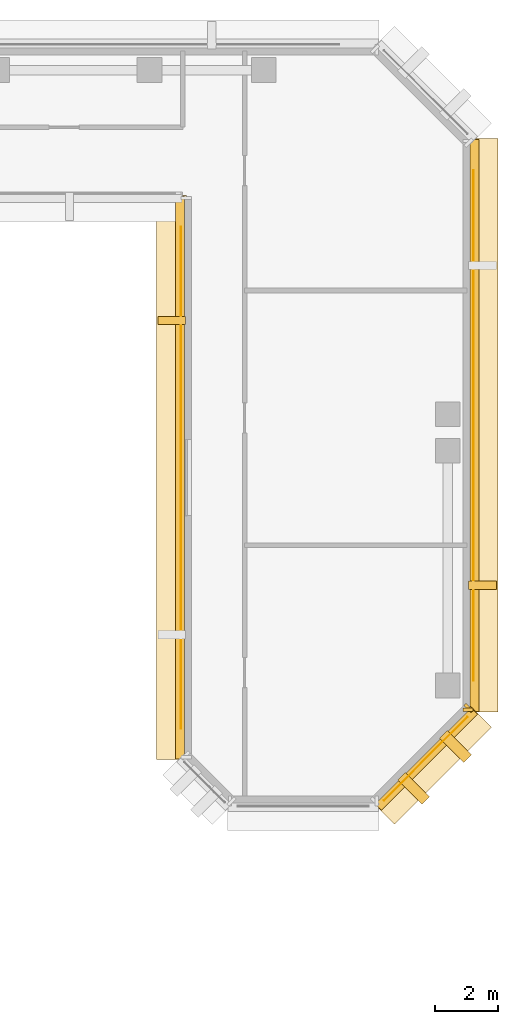
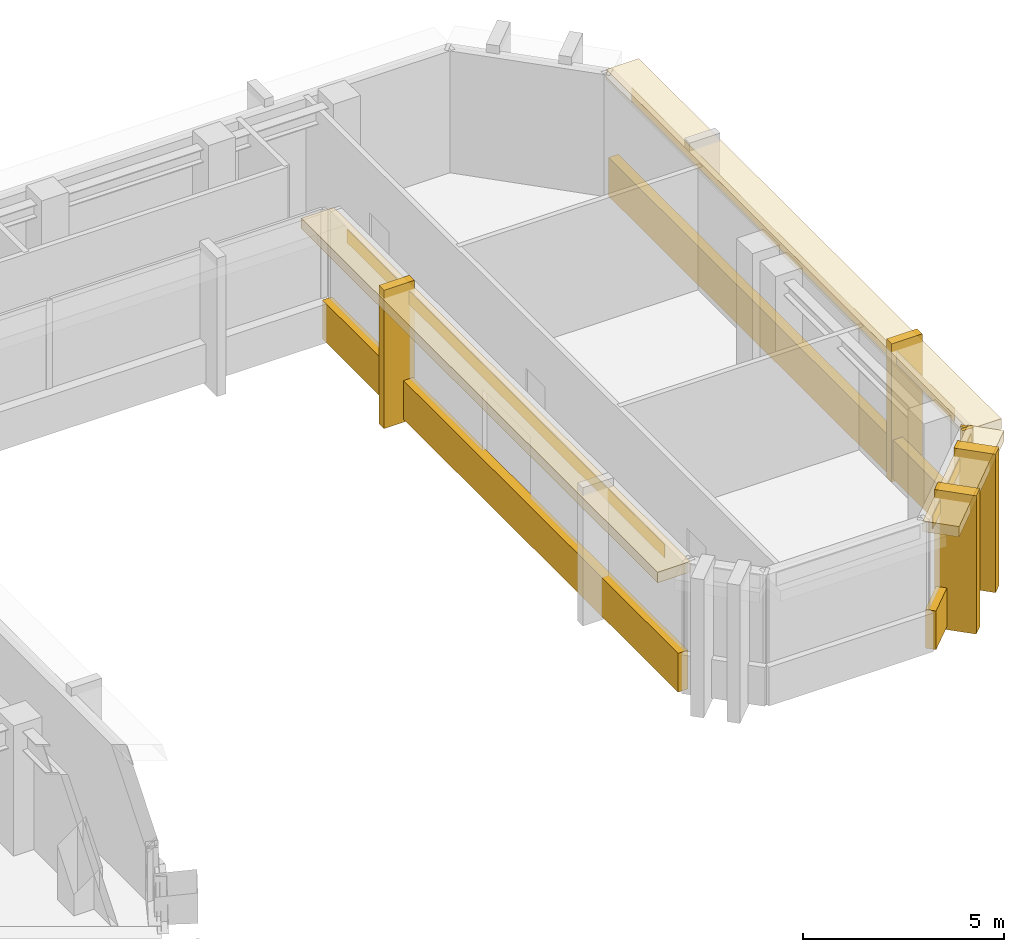
# One storey, part 9 of 11: 15 coverings.
"""IFC4 building model written with IfcOpenShell, lengths in metres."""

from ifc_helpers import new_model, si_unit, direction, frame, origin, origin_2d, place, context, subcontext, project, spatial, rectangle, extrude, material, layer, layer_set, type_object, element, save


model = new_model("IFC4")

# Units and contexts
model_context = context("Model", 3, precision=1e-05, world=origin(), true_north=direction((0.0, 1.0)))
body_context = subcontext(model_context, "Body", "Model", "MODEL_VIEW")
ifc_project = project(units=[si_unit("LENGTHUNIT", "METRE"), si_unit("AREAUNIT", "SQUARE_METRE"), si_unit("VOLUMEUNIT", "CUBIC_METRE"), si_unit("PLANEANGLEUNIT", "RADIAN"), si_unit("MASSUNIT", "GRAM", prefix="KILO")], contexts=[model_context])

# Site, building, storey
site_placement = place(None, origin())
site = spatial("IfcSite", under=ifc_project, at=site_placement, CompositionType="ELEMENT")
building_placement = place(site_placement, origin())
building = spatial("IfcBuilding", under=site, at=building_placement, Name="Kefirva Bronze Tower", CompositionType="ELEMENT")
storey_placement = place(building_placement, frame((0.0, 0.0, 219.780029296875)))
storey = spatial("IfcBuildingStorey", under=building, at=storey_placement, Name="L53", CompositionType="ELEMENT", Elevation=219.780029296875)

# Coverings
ifc_material = material(Name="Bronze anodised aluminium", Category="aluminium")
ifc_layer_1 = layer(ifc_material, 0.02001953125, Name="Bronze anodised aluminium")
ifc_layer_set_1 = layer_set([ifc_layer_1], Name="Bronze anodised aluminium")
covering_type_1 = type_object("IfcCoveringType", Name="Anodised Bronze Spandrel Cladding 20mm", PredefinedType="CLADDING", material=ifc_layer_set_1)
covering_1_placement = place(storey_placement, frame((40.989990234375, 32.35009765625, 3.2900390625), z_axis=(0.0, 0.0, 1.0), x_axis=(0.0, -1.0, 0.0)))
element("IfcCovering", 1, at=covering_1_placement, inside=storey, type_object=covering_type_1, Name="L53 Bronze Spandrel Cladding 5", PredefinedType="CLADDING", context=body_context, shape_type="SweptSolid", body=[
    extrude(rectangle(XDim=15.8310546875, YDim=0.02001953125, at=origin_2d()), origin(), (0.0, 0.0, 1.0), 0.39990234375),
])
covering_2_placement = place(storey_placement, frame((40.9599609375, 32.35009765625, -0.16015625), z_axis=(0.0, 0.0, 1.0), x_axis=(0.0, -1.0, 0.0)))
element("IfcCovering", 2, at=covering_2_placement, inside=storey, type_object=covering_type_1, Name="L53 Streamline Horizontal Spandrel Band 7", PredefinedType="CLADDING", context=body_context, shape_type="SweptSolid", body=[
    extrude(rectangle(XDim=17.739990234375, YDim=0.280029296875, at=origin_2d()), origin(), (0.0, 0.0, 1.0), 1.179931640625),
])
covering_3_placement = place(storey_placement, frame((48.70703125, 23.492919921875, 3.2900390625), z_axis=(0.0, 0.0, 1.0), x_axis=(0.707106781187, 0.707106781187, 0.0)))
element("IfcCovering", 3, at=covering_3_placement, inside=storey, type_object=covering_type_1, Name="L53 Bronze Spandrel Cladding 8", PredefinedType="CLADDING", context=body_context, shape_type="SweptSolid", body=[
    extrude(rectangle(XDim=3.719482421875, YDim=0.02001953125, at=origin_2d()), origin(), (0.0, 0.0, 1.0), 0.39990234375),
])
covering_4_placement = place(storey_placement, frame((50.06201171875, 25.08837890625, 0.0), z_axis=(0.0, 0.0, 1.0), x_axis=(0.707106781187, 0.707106781187, 0.0)))
element("IfcCovering", 4, at=covering_4_placement, inside=storey, type_object=covering_type_1, Name="L53 Facade Joint Closure Panel 8E", PredefinedType="CLADDING", context=body_context, shape_type="SweptSolid", body=[
    extrude(rectangle(XDim=0.10009765625, YDim=0.320068359375, at=origin_2d()), origin(), (0.0, 0.0, 1.0), 3.7099609375),
])
covering_5_placement = place(storey_placement, frame((48.728271484375, 23.4716796875, -0.16015625), z_axis=(0.0, 0.0, 1.0), x_axis=(0.707106781187, 0.707106781187, 0.0)))
element("IfcCovering", 5, at=covering_5_placement, inside=storey, type_object=covering_type_1, Name="L53 Streamline Horizontal Spandrel Band 10", PredefinedType="CLADDING", context=body_context, shape_type="SweptSolid", body=[
    extrude(rectangle(XDim=4.28271484375, YDim=0.280029296875, at=origin_2d()), origin(), (0.0, 0.0, 1.0), 1.179931640625),
])
covering_6_placement = place(storey_placement, frame((50.2099609375, 34.0, 3.2900390625), z_axis=(0.0, 0.0, 1.0), x_axis=(0.0, 1.0, 0.0)))
element("IfcCovering", 6, at=covering_6_placement, inside=storey, type_object=covering_type_1, Name="L53 Bronze Spandrel Cladding 9", PredefinedType="CLADDING", context=body_context, shape_type="SweptSolid", body=[
    extrude(rectangle(XDim=16.10107421875, YDim=0.02001953125, at=origin_2d()), origin(), (0.0, 0.0, 1.0), 0.39990234375),
])
covering_7_placement = place(storey_placement, frame((50.0400390625, 25.034912109375, 0.0), z_axis=(0.0, 0.0, 1.0), x_axis=(0.0, 1.0, 0.0)))
element("IfcCovering", 7, at=covering_7_placement, inside=storey, type_object=covering_type_1, Name="L53 Facade Joint Closure Panel 9S", PredefinedType="CLADDING", context=body_context, shape_type="SweptSolid", body=[
    extrude(rectangle(XDim=0.10009765625, YDim=0.320068359375, at=origin_2d()), origin(), (0.0, 0.0, 1.0), 3.7099609375),
])
covering_8_placement = place(storey_placement, frame((50.239990234375, 34.0, -0.16015625), z_axis=(0.0, 0.0, 1.0), x_axis=(0.0, 1.0, 0.0)))
element("IfcCovering", 8, at=covering_8_placement, inside=storey, type_object=covering_type_1, Name="L53 Streamline Horizontal Spandrel Band 11", PredefinedType="CLADDING", context=body_context, shape_type="SweptSolid", body=[
    extrude(rectangle(XDim=18.0400390625, YDim=0.280029296875, at=origin_2d()), origin(), (0.0, 0.0, 1.0), 1.179931640625),
])
ifc_layer_2 = layer(ifc_material, 0.179931640625, Name="Bronze anodised aluminium")
ifc_layer_set_2 = layer_set([ifc_layer_2], Name="Bronze anodised aluminium")
covering_type_2 = type_object("IfcCoveringType", Name="Streamline Bronze Sunshade Eyebrow Cladding 180mm", PredefinedType="CLADDING", material=ifc_layer_set_2)
covering_9_placement = place(storey_placement, frame((40.68994140625, 32.35009765625, 3.39013671875), z_axis=(0.0, 0.0, 1.0), x_axis=(0.0, -1.0, 0.0)))
element("IfcCovering", 9, at=covering_9_placement, inside=storey, type_object=covering_type_2, Name="L53 Streamline Bronze Sunshade Eyebrow 7", PredefinedType="CLADDING", context=body_context, shape_type="SweptSolid", body=[
    extrude(rectangle(XDim=17.780029296875, YDim=0.93994140625, at=origin_2d()), origin(), (0.0, 0.0, 1.0), 0.320068359375),
])
covering_10_placement = place(storey_placement, frame((48.919189453125, 23.28076171875, 3.39013671875), z_axis=(0.0, 0.0, 1.0), x_axis=(0.707106781187, 0.707106781187, 0.0)))
element("IfcCovering", 10, at=covering_10_placement, inside=storey, type_object=covering_type_2, Name="L53 Streamline Bronze Sunshade Eyebrow 10", PredefinedType="CLADDING", context=body_context, shape_type="SweptSolid", body=[
    extrude(rectangle(XDim=4.322509765625, YDim=0.93994140625, at=origin_2d()), origin(), (0.0, 0.0, 1.0), 0.320068359375),
])
covering_11_placement = place(storey_placement, frame((50.510009765625, 34.0, 3.39013671875), z_axis=(0.0, 0.0, 1.0), x_axis=(0.0, 1.0, 0.0)))
element("IfcCovering", 11, at=covering_11_placement, inside=storey, type_object=covering_type_2, Name="L53 Streamline Bronze Sunshade Eyebrow 11", PredefinedType="CLADDING", context=body_context, shape_type="SweptSolid", body=[
    extrude(rectangle(XDim=18.080078125, YDim=0.93994140625, at=origin_2d()), origin(), (0.0, 0.0, 1.0), 0.320068359375),
])
ifc_layer_3 = layer(ifc_material, 0.260009765625, Name="Bronze anodised aluminium")
ifc_layer_set_3 = layer_set([ifc_layer_3], Name="Bronze anodised aluminium")
covering_type_3 = type_object("IfcCoveringType", Name="Unbroken Bronze Buttress Fin Cladding 260mm", PredefinedType="CLADDING", material=ifc_layer_set_3)
covering_12_placement = place(storey_placement, frame((40.699951171875, 37.305908203125, -0.25), z_axis=(0.0, 0.0, 1.0), x_axis=(0.0, -1.0, 0.0)))
element("IfcCovering", 12, at=covering_12_placement, inside=storey, type_object=covering_type_3, Name="L53 Unbroken Vertical Bronze Rib Fin 13", PredefinedType="CLADDING", context=body_context, shape_type="SweptSolid", body=[
    extrude(rectangle(XDim=0.260009765625, YDim=0.8798828125, at=origin_2d()), origin(), (0.0, 0.0, 1.0), 4.2099609375),
])
for number, where, z_axis, x_axis, name in (
    (13, (48.32275390625, 22.55712890625, -0.25), (0.0, 0.0, 1.0), (0.707106781187, 0.707106781187, 0.0), "L53 Chamfered Corner Buttress Fin Cladding 17"),
    (14, (49.642822265625, 23.877197265625, -0.25), (0.0, 0.0, 1.0), (0.707106781187, 0.707106781187, 0.0), "L53 Chamfered Corner Buttress Fin Cladding 18"),
):
    element("IfcCovering", number, at=place(storey_placement, frame(where, z_axis=z_axis, x_axis=x_axis)), inside=storey, type_object=covering_type_3, Name=name, PredefinedType="CLADDING", context=body_context, shape_type="SweptSolid", body=[
        extrude(rectangle(XDim=0.340087890625, YDim=1.080078125, at=origin_2d()), origin(), (0.0, 0.0, 1.0), 4.2099609375),
    ])
covering_13_placement = place(storey_placement, frame((50.5, 28.9599609375, -0.25), z_axis=(0.0, 0.0, 1.0), x_axis=(0.0, 1.0, 0.0)))
element("IfcCovering", 15, at=covering_13_placement, inside=storey, type_object=covering_type_3, Name="L53 Unbroken Vertical Bronze Rib Fin 19", PredefinedType="CLADDING", context=body_context, shape_type="SweptSolid", body=[
    extrude(rectangle(XDim=0.260009765625, YDim=0.8798828125, at=origin_2d()), origin(), (0.0, 0.0, 1.0), 4.2099609375),
])

save(model, "model.ifc")
